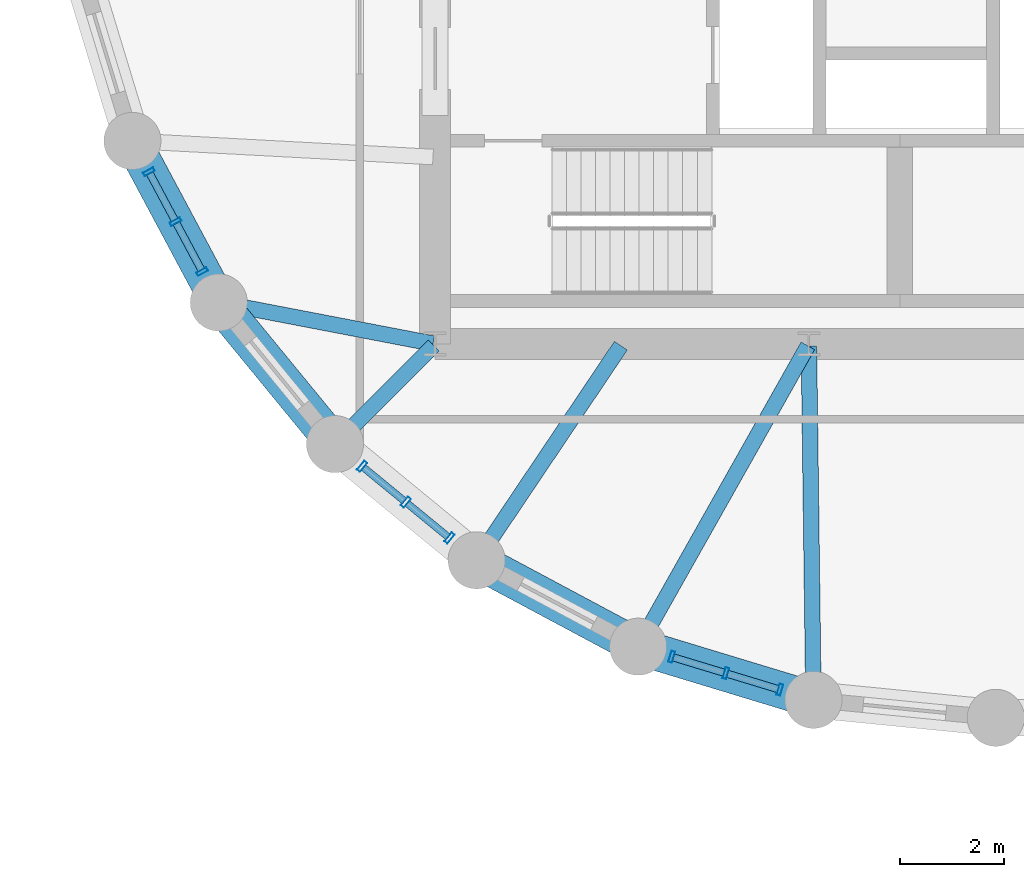
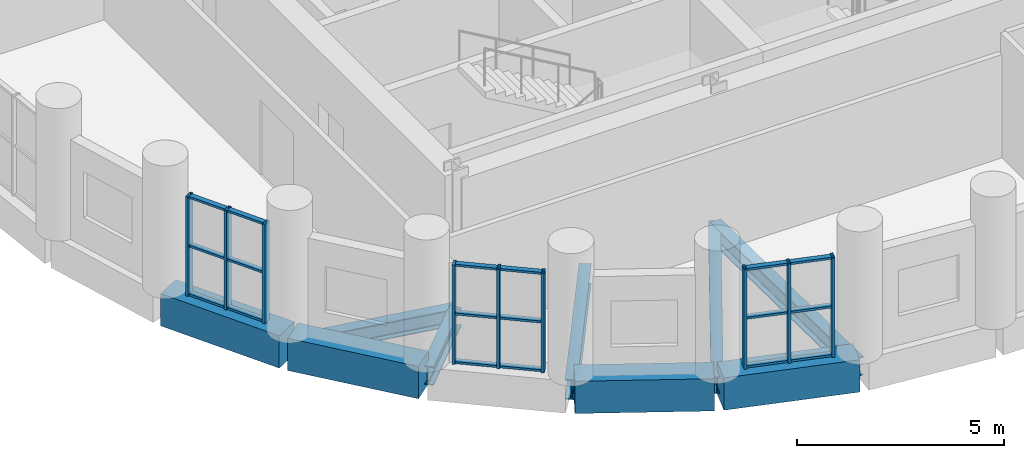
# One storey, part 2 of 14: 27 members, 9 beams, 3 elements without a shape of their own.
"""IFC4 building model written with IfcOpenShell, lengths in metres."""

from ifc_helpers import new_model, si_unit, direction, frame, origin, origin_2d, place, context, subcontext, project, spatial, rectangle, hollow_rectangle, i_section, extrude, material, layer, layer_set, material_profile, profile_set, type_object, element, aggregate, save


model = new_model("IFC4")

# Units and contexts
model_context = context("Model", 3, precision=1e-05, world=origin(), true_north=direction((0.0, 1.0)))
body_context = subcontext(model_context, "Body", "Model", "MODEL_VIEW")
ifc_project = project(units=[si_unit("LENGTHUNIT", "METRE"), si_unit("AREAUNIT", "SQUARE_METRE"), si_unit("VOLUMEUNIT", "CUBIC_METRE"), si_unit("PLANEANGLEUNIT", "RADIAN"), si_unit("MASSUNIT", "GRAM", prefix="KILO")], contexts=[model_context])

# Site, building, storey
site_placement = place(None, origin())
site = spatial("IfcSite", under=ifc_project, at=site_placement, CompositionType="ELEMENT")
building_placement = place(site_placement, origin())
building = spatial("IfcBuilding", under=site, at=building_placement, Name="Solnavia Interchange Tower", CompositionType="ELEMENT")
storey_placement = place(building_placement, frame((0.0, 0.0, 63.0)))
storey = spatial("IfcBuildingStorey", under=building, at=storey_placement, Name="L15", CompositionType="ELEMENT", Elevation=63.0)

# Beams
ifc_material_1 = material(Name="Steel S460", Category="steel")
ifc_material_profile_1 = material_profile(ifc_material_1, i_section(OverallWidth=0.300048828125, OverallDepth=0.550048828125, WebThickness=0.014892578125, FlangeThickness=0.029052734375, FilletRadius=0.027099609375, at=origin_2d()), Name="HEB 550")
ifc_profile_set_1 = profile_set([ifc_material_profile_1], Name="Steel S460")
beam_type_1 = type_object("IfcBeamType", Name="Beam-Girder-HEB550", PredefinedType="BEAM", material=ifc_profile_set_1)
beam_1_placement = place(storey_placement, frame((12.528564453125, 8.9287109375, -0.52490234375), z_axis=(0.707106781187, 0.707106781187, 0.0), x_axis=(-0.707106781187, 0.707106781187, 0.0)))
element("IfcBeam", 1, at=beam_1_placement, inside=storey, type_object=beam_type_1, Name="GRD-L15-DR25 Drum radial floor girder", PredefinedType="BEAM", context=body_context, shape_type="SweptSolid", body=[
    extrude(i_section(OverallWidth=0.300048828125, OverallDepth=0.550048828125, WebThickness=0.014892578125, FlangeThickness=0.029052734375, FilletRadius=0.027099609375, at=origin_2d()), origin(), (0.0, 0.0, 1.0), 2.6064453125),
])
beam_2_placement = place(storey_placement, frame((21.68701171875, 4.02587890625, -0.52490234375), z_axis=(-0.01283293513, 0.999917654498, 0.0), x_axis=(-0.999917654498, -0.01283293513, 0.0)))
element("IfcBeam", 2, at=beam_2_placement, inside=storey, type_object=beam_type_1, Name="GRD-L15-DR28 Drum radial floor girder", PredefinedType="BEAM", context=body_context, shape_type="SweptSolid", body=[
    extrude(i_section(OverallWidth=0.300048828125, OverallDepth=0.550048828125, WebThickness=0.014892578125, FlangeThickness=0.029052734375, FilletRadius=0.027099609375, at=origin_2d()), origin(), (0.0, 0.0, 1.0), 6.734619140625),
])
ifc_material_2 = material(Name="Steel S355", Category="steel")
ifc_material_profile_2 = material_profile(ifc_material_2, i_section(OverallWidth=0.300048828125, OverallDepth=0.489990234375, WebThickness=0.011962890625, FlangeThickness=0.02294921875, FilletRadius=0.027099609375, at=origin_2d()), Name="HEA 500")
ifc_profile_set_2 = profile_set([ifc_material_profile_2], Name="Steel S355")
beam_type_2 = type_object("IfcBeamType", Name="Beam-Primary-HEA500", PredefinedType="BEAM", material=ifc_profile_set_2)
beam_3_placement = place(storey_placement, frame((10.3125, 11.5849609375, -0.4951171875), z_axis=(0.982057527796, -0.188581579428, 0.0), x_axis=(0.188581579428, 0.982057527796, 0.0)))
element("IfcBeam", 3, at=beam_3_placement, inside=storey, type_object=beam_type_2, Name="GRD-L15-DR24 Drum radial floor girder", PredefinedType="BEAM", context=body_context, shape_type="SweptSolid", body=[
    extrude(i_section(OverallWidth=0.300048828125, OverallDepth=0.489990234375, WebThickness=0.011962890625, FlangeThickness=0.02294921875, FilletRadius=0.027099609375, at=origin_2d()), origin(), (0.0, 0.0, 1.0), 4.1220703125),
])
beam_4_placement = place(storey_placement, frame((18.351318359375, 5.039794921875, -0.4951171875), z_axis=(0.491243158486, 0.871022479182, 0.0), x_axis=(-0.871022479182, 0.491243158486, 0.0)))
element("IfcBeam", 4, at=beam_4_placement, inside=storey, type_object=beam_type_2, Name="GRD-L15-DR27 Drum radial floor girder", PredefinedType="BEAM", context=body_context, shape_type="SweptSolid", body=[
    extrude(i_section(OverallWidth=0.300048828125, OverallDepth=0.489990234375, WebThickness=0.011962890625, FlangeThickness=0.02294921875, FilletRadius=0.027099609375, at=origin_2d()), origin(), (0.0, 0.0, 1.0), 6.5732421875),
])
ifc_material_profile_3 = material_profile(ifc_material_2, i_section(OverallWidth=0.300048828125, OverallDepth=0.590087890625, WebThickness=0.012939453125, FlangeThickness=0.02490234375, FilletRadius=0.027099609375, at=origin_2d()), Name="HEA 600")
ifc_profile_set_3 = profile_set([ifc_material_profile_3], Name="Steel S355")
beam_type_3 = type_object("IfcBeamType", Name="Beam-Primary-HEA600", PredefinedType="BEAM", material=ifc_profile_set_3)
beam_5_placement = place(storey_placement, frame((15.24462890625, 6.700439453125, -0.544921875), z_axis=(0.557835474219, 0.829951555033, 0.0), x_axis=(-0.829951555033, 0.557835474219, 0.0)))
element("IfcBeam", 5, at=beam_5_placement, inside=storey, type_object=beam_type_3, Name="GRD-L15-DR26 Drum radial floor girder", PredefinedType="BEAM", context=body_context, shape_type="SweptSolid", body=[
    extrude(i_section(OverallWidth=0.300048828125, OverallDepth=0.590087890625, WebThickness=0.012939453125, FlangeThickness=0.02490234375, FilletRadius=0.027099609375, at=origin_2d()), origin(), (0.0, 0.0, 1.0), 4.899658203125),
])
ifc_material_3 = material(Name="Concrete C50/60", Category="concrete")
ifc_material_profile_4 = material_profile(ifc_material_3, rectangle(XDim=0.699951171875, YDim=0.949951171875, at=origin_2d()), Name="RC 700x950")
ifc_profile_set_4 = profile_set([ifc_material_profile_4], Name="Concrete C50/60")
beam_type_4 = type_object("IfcBeamType", Name="Beam-Spandrel-RC700x950", PredefinedType="SPANDREL", material=ifc_profile_set_4)
beam_6_placement = place(storey_placement, frame((8.607666015625, 14.6416015625, -0.47509765625), z_axis=(0.471509422952, -0.881861023102, 0.0), x_axis=(0.881861023102, 0.471509422952, 0.0)))
element("IfcBeam", 6, at=beam_6_placement, inside=storey, type_object=beam_type_4, Name="SPB-L15-03 Framed-tube perimeter spandrel beam", PredefinedType="SPANDREL", context=body_context, shape_type="SweptSolid", body=[
    extrude(rectangle(XDim=0.699951171875, YDim=0.949951171875, at=origin_2d()), origin(), (0.0, 0.0, 1.0), 3.369140625),
])
beam_7_placement = place(storey_placement, frame((10.28466796875, 11.5380859375, -0.47509765625), z_axis=(0.634298841675, -0.773087950656, 0.0), x_axis=(0.773087950656, 0.634298841675, 0.0)))
element("IfcBeam", 7, at=beam_7_placement, inside=storey, type_object=beam_type_4, Name="SPB-L15-04 Framed-tube perimeter spandrel beam", PredefinedType="SPANDREL", context=body_context, shape_type="SweptSolid", body=[
    extrude(rectangle(XDim=0.699951171875, YDim=0.949951171875, at=origin_2d()), origin(), (0.0, 0.0, 1.0), 3.36865234375),
])
beam_8_placement = place(storey_placement, frame((15.2705078125, 6.59619140625, -0.47509765625), z_axis=(0.881875044348, -0.47148319817, 0.0), x_axis=(0.47148319817, 0.881875044348, 0.0)))
element("IfcBeam", 8, at=beam_8_placement, inside=storey, type_object=beam_type_4, Name="SPB-L15-06 Framed-tube perimeter spandrel beam", PredefinedType="SPANDREL", context=body_context, shape_type="SweptSolid", body=[
    extrude(rectangle(XDim=0.699951171875, YDim=0.949951171875, at=origin_2d()), origin(), (0.0, 0.0, 1.0), 3.368896484375),
])
beam_9_placement = place(storey_placement, frame((18.388671875, 4.94677734375, -0.47509765625), z_axis=(0.956943884494, -0.290272978297, 0.0), x_axis=(0.290272978297, 0.956943884494, 0.0)))
element("IfcBeam", 9, at=beam_9_placement, inside=storey, type_object=beam_type_4, Name="SPB-L15-07 Framed-tube perimeter spandrel beam", PredefinedType="SPANDREL", context=body_context, shape_type="SweptSolid", body=[
    extrude(rectangle(XDim=0.699951171875, YDim=0.949951171875, at=origin_2d()), origin(), (0.0, 0.0, 1.0), 3.36767578125),
])

# Curtain wall, members
ifc_material_4 = material(Name="Aluminium Alloy 6063-T6", Category="aluminium")
ifc_layer = layer(ifc_material_4, 0.239990234375)
ifc_layer_set = layer_set([ifc_layer], Name="Aluminium Alloy 6063-T6")
curtain_wall_type = type_object("IfcCurtainWallType", Name="CurtainWall-Drum-CTW2", PredefinedType="NOTDEFINED", material=ifc_layer_set)
curtain_wall_1_placement = place(storey_placement, origin())
curtain_wall_1 = element("IfcCurtainWall", 10, at=curtain_wall_1_placement, inside=storey, type_object=curtain_wall_type, Name="CTW-L15-D59 CTW-2 curtain wall", PredefinedType="NOTDEFINED")
ifc_material_profile_5 = material_profile(ifc_material_4, hollow_rectangle(XDim=0.074951171875, YDim=0.219970703125, WallThickness=0.0048828125, at=origin_2d()), Name="ALU 220x75x5")
ifc_profile_set_5 = profile_set([ifc_material_profile_5], Name="Aluminium Alloy 6063-T6")
member_type_1 = type_object("IfcMemberType", Name="CW-Mullion-CWM-2", PredefinedType="MULLION", material=ifc_profile_set_5)
member_1_placement = place(storey_placement, frame((8.88818359375, 14.11669921875, 0.0), z_axis=(0.0, 0.0, 1.0), x_axis=(0.471536719402, -0.881846427818, 0.0)))
member_1 = element("IfcMember", 11, at=member_1_placement, type_object=member_type_1, Name="CTW-2 mullion 1", PredefinedType="MULLION", context=body_context, shape_type="SweptSolid", body=[
    extrude(hollow_rectangle(XDim=0.074951171875, YDim=0.219970703125, WallThickness=0.0048828125, at=origin_2d()), origin(), (0.0, 0.0, 1.0), 2.929931640625),
])
member_2_placement = place(storey_placement, frame((9.402099609375, 13.156005859375, 0.0), z_axis=(0.0, 0.0, 1.0), x_axis=(0.471536719402, -0.881846427818, 0.0)))
member_2 = element("IfcMember", 12, at=member_2_placement, type_object=member_type_1, Name="CTW-2 mullion 2", PredefinedType="MULLION", context=body_context, shape_type="SweptSolid", body=[
    extrude(hollow_rectangle(XDim=0.074951171875, YDim=0.219970703125, WallThickness=0.0048828125, at=origin_2d()), origin(), (0.0, 0.0, 1.0), 2.929931640625),
])
member_3_placement = place(storey_placement, frame((9.915771484375, 12.1953125, 0.0), z_axis=(0.0, 0.0, 1.0), x_axis=(0.471536719402, -0.881846427818, 0.0)))
member_3 = element("IfcMember", 13, at=member_3_placement, type_object=member_type_1, Name="CTW-2 mullion 3", PredefinedType="MULLION", context=body_context, shape_type="SweptSolid", body=[
    extrude(hollow_rectangle(XDim=0.074951171875, YDim=0.219970703125, WallThickness=0.0048828125, at=origin_2d()), origin(), (0.0, 0.0, 1.0), 2.929931640625),
])

curtain_wall_2_placement = place(storey_placement, origin())
curtain_wall_2 = element("IfcCurtainWall", 14, at=curtain_wall_2_placement, inside=storey, type_object=curtain_wall_type, Name="CTW-L15-D61 CTW-2 curtain wall", PredefinedType="NOTDEFINED")
member_4_placement = place(storey_placement, frame((12.993896484375, 8.44384765625, 0.0), z_axis=(0.0, 0.0, 1.0), x_axis=(0.773094572227, -0.634290771172, 0.0)))
member_4 = element("IfcMember", 15, at=member_4_placement, type_object=member_type_1, Name="CTW-2 mullion 1", PredefinedType="MULLION", context=body_context, shape_type="SweptSolid", body=[
    extrude(hollow_rectangle(XDim=0.074951171875, YDim=0.219970703125, WallThickness=0.0048828125, at=origin_2d()), origin(), (0.0, 0.0, 1.0), 2.929931640625),
])
member_5_placement = place(storey_placement, frame((13.8359375, 7.7529296875, 0.0), z_axis=(0.0, 0.0, 1.0), x_axis=(0.773094572227, -0.634290771172, 0.0)))
member_5 = element("IfcMember", 16, at=member_5_placement, type_object=member_type_1, Name="CTW-2 mullion 2", PredefinedType="MULLION", context=body_context, shape_type="SweptSolid", body=[
    extrude(hollow_rectangle(XDim=0.074951171875, YDim=0.219970703125, WallThickness=0.0048828125, at=origin_2d()), origin(), (0.0, 0.0, 1.0), 2.929931640625),
])
member_6_placement = place(storey_placement, frame((14.67822265625, 7.06201171875, 0.0), z_axis=(0.0, 0.0, 1.0), x_axis=(0.773094572227, -0.634290771172, 0.0)))
member_6 = element("IfcMember", 17, at=member_6_placement, type_object=member_type_1, Name="CTW-2 mullion 3", PredefinedType="MULLION", context=body_context, shape_type="SweptSolid", body=[
    extrude(hollow_rectangle(XDim=0.074951171875, YDim=0.219970703125, WallThickness=0.0048828125, at=origin_2d()), origin(), (0.0, 0.0, 1.0), 2.929931640625),
])

curtain_wall_3_placement = place(storey_placement, origin())
curtain_wall_3 = element("IfcCurtainWall", 18, at=curtain_wall_3_placement, inside=storey, type_object=curtain_wall_type, Name="CTW-L15-D63 CTW-2 curtain wall", PredefinedType="NOTDEFINED")
member_7_placement = place(storey_placement, frame((18.9580078125, 4.774169921875, 0.0), z_axis=(0.0, 0.0, 1.0), x_axis=(0.956934759739, -0.290303058206, 0.0)))
member_7 = element("IfcMember", 19, at=member_7_placement, type_object=member_type_1, Name="CTW-2 mullion 1", PredefinedType="MULLION", context=body_context, shape_type="SweptSolid", body=[
    extrude(hollow_rectangle(XDim=0.074951171875, YDim=0.219970703125, WallThickness=0.0048828125, at=origin_2d()), origin(), (0.0, 0.0, 1.0), 2.929931640625),
])
member_8_placement = place(storey_placement, frame((20.0, 4.4580078125, 0.0), z_axis=(0.0, 0.0, 1.0), x_axis=(0.956934759739, -0.290303058206, 0.0)))
member_8 = element("IfcMember", 20, at=member_8_placement, type_object=member_type_1, Name="CTW-2 mullion 2", PredefinedType="MULLION", context=body_context, shape_type="SweptSolid", body=[
    extrude(hollow_rectangle(XDim=0.074951171875, YDim=0.219970703125, WallThickness=0.0048828125, at=origin_2d()), origin(), (0.0, 0.0, 1.0), 2.929931640625),
])
member_9_placement = place(storey_placement, frame((21.0419921875, 4.141845703125, 0.0), z_axis=(0.0, 0.0, 1.0), x_axis=(0.956934759739, -0.290303058206, 0.0)))
member_9 = element("IfcMember", 21, at=member_9_placement, type_object=member_type_1, Name="CTW-2 mullion 3", PredefinedType="MULLION", context=body_context, shape_type="SweptSolid", body=[
    extrude(hollow_rectangle(XDim=0.074951171875, YDim=0.219970703125, WallThickness=0.0048828125, at=origin_2d()), origin(), (0.0, 0.0, 1.0), 2.929931640625),
])

# Member
ifc_material_profile_6 = material_profile(ifc_material_4, hollow_rectangle(XDim=0.06494140625, YDim=0.139892578125, WallThickness=0.00390625, at=origin_2d()), Name="ALU 140x65x4")
ifc_profile_set_6 = profile_set([ifc_material_profile_6], Name="Aluminium Alloy 6063-T6")
member_type_2 = type_object("IfcMemberType", Name="CW-Transom-CWT-2", PredefinedType="USERDEFINED", material=ifc_profile_set_6)
member_10_placement = place(storey_placement, frame((8.906005859375, 14.083740234375, 0.032470703125), z_axis=(0.471399859925, -0.88191959501, 0.0), x_axis=(0.0, 0.0, 1.0)))
member_10 = element("IfcMember", 22, at=member_10_placement, type_object=member_type_2, Name="CTW-2 transom 1.1", ObjectType="TRANSOM", PredefinedType="USERDEFINED", context=body_context, shape_type="SweptSolid", body=[
    extrude(hollow_rectangle(XDim=0.06494140625, YDim=0.139892578125, WallThickness=0.00390625, at=origin_2d()), origin(), (0.0, 0.0, 1.0), 1.0146484375),
])

member_11_placement = place(storey_placement, frame((8.906005859375, 14.083740234375, 1.465087890625), z_axis=(0.471399859925, -0.88191959501, 0.0), x_axis=(0.0, 0.0, 1.0)))
member_11 = element("IfcMember", 23, at=member_11_placement, type_object=member_type_2, Name="CTW-2 transom 1.2", ObjectType="TRANSOM", PredefinedType="USERDEFINED", context=body_context, shape_type="SweptSolid", body=[
    extrude(hollow_rectangle(XDim=0.06494140625, YDim=0.139892578125, WallThickness=0.00390625, at=origin_2d()), origin(), (0.0, 0.0, 1.0), 1.0146484375),
])

member_12_placement = place(storey_placement, frame((8.906005859375, 14.083740234375, 2.8974609375), z_axis=(0.471399859925, -0.88191959501, 0.0), x_axis=(0.0, 0.0, 1.0)))
member_12 = element("IfcMember", 24, at=member_12_placement, type_object=member_type_2, Name="CTW-2 transom 1.3", ObjectType="TRANSOM", PredefinedType="USERDEFINED", context=body_context, shape_type="SweptSolid", body=[
    extrude(hollow_rectangle(XDim=0.06494140625, YDim=0.139892578125, WallThickness=0.00390625, at=origin_2d()), origin(), (0.0, 0.0, 1.0), 1.0146484375),
])

member_13_placement = place(storey_placement, frame((9.419677734375, 13.123046875, 0.032470703125), z_axis=(0.471399859925, -0.88191959501, 0.0), x_axis=(0.0, 0.0, 1.0)))
member_13 = element("IfcMember", 25, at=member_13_placement, type_object=member_type_2, Name="CTW-2 transom 2.1", ObjectType="TRANSOM", PredefinedType="USERDEFINED", context=body_context, shape_type="SweptSolid", body=[
    extrude(hollow_rectangle(XDim=0.06494140625, YDim=0.139892578125, WallThickness=0.00390625, at=origin_2d()), origin(), (0.0, 0.0, 1.0), 1.0146484375),
])

member_14_placement = place(storey_placement, frame((9.419677734375, 13.123046875, 1.465087890625), z_axis=(0.471399859925, -0.88191959501, 0.0), x_axis=(0.0, 0.0, 1.0)))
member_14 = element("IfcMember", 26, at=member_14_placement, type_object=member_type_2, Name="CTW-2 transom 2.2", ObjectType="TRANSOM", PredefinedType="USERDEFINED", context=body_context, shape_type="SweptSolid", body=[
    extrude(hollow_rectangle(XDim=0.06494140625, YDim=0.139892578125, WallThickness=0.00390625, at=origin_2d()), origin(), (0.0, 0.0, 1.0), 1.0146484375),
])

member_15_placement = place(storey_placement, frame((9.419677734375, 13.123046875, 2.8974609375), z_axis=(0.471399859925, -0.88191959501, 0.0), x_axis=(0.0, 0.0, 1.0)))
member_15 = element("IfcMember", 27, at=member_15_placement, type_object=member_type_2, Name="CTW-2 transom 2.3", ObjectType="TRANSOM", PredefinedType="USERDEFINED", context=body_context, shape_type="SweptSolid", body=[
    extrude(hollow_rectangle(XDim=0.06494140625, YDim=0.139892578125, WallThickness=0.00390625, at=origin_2d()), origin(), (0.0, 0.0, 1.0), 1.0146484375),
])

aggregate(curtain_wall_1, [member_1, member_2, member_3, member_10, member_11, member_12, member_13, member_14, member_15])

member_16_placement = place(storey_placement, frame((13.02294921875, 8.420166015625, 0.032470703125), z_axis=(0.773130870672, -0.634246526844, 0.0), x_axis=(0.0, 0.0, 1.0)))
member_16 = element("IfcMember", 28, at=member_16_placement, type_object=member_type_2, Name="CTW-2 transom 1.1", ObjectType="TRANSOM", PredefinedType="USERDEFINED", context=body_context, shape_type="SweptSolid", body=[
    extrude(hollow_rectangle(XDim=0.06494140625, YDim=0.139892578125, WallThickness=0.00390625, at=origin_2d()), origin(), (0.0, 0.0, 1.0), 1.014404296875),
])

member_17_placement = place(storey_placement, frame((13.02294921875, 8.420166015625, 1.465087890625), z_axis=(0.773130870672, -0.634246526844, 0.0), x_axis=(0.0, 0.0, 1.0)))
member_17 = element("IfcMember", 29, at=member_17_placement, type_object=member_type_2, Name="CTW-2 transom 1.2", ObjectType="TRANSOM", PredefinedType="USERDEFINED", context=body_context, shape_type="SweptSolid", body=[
    extrude(hollow_rectangle(XDim=0.06494140625, YDim=0.139892578125, WallThickness=0.00390625, at=origin_2d()), origin(), (0.0, 0.0, 1.0), 1.014404296875),
])

member_18_placement = place(storey_placement, frame((13.02294921875, 8.420166015625, 2.8974609375), z_axis=(0.773130870672, -0.634246526844, 0.0), x_axis=(0.0, 0.0, 1.0)))
member_18 = element("IfcMember", 30, at=member_18_placement, type_object=member_type_2, Name="CTW-2 transom 1.3", ObjectType="TRANSOM", PredefinedType="USERDEFINED", context=body_context, shape_type="SweptSolid", body=[
    extrude(hollow_rectangle(XDim=0.06494140625, YDim=0.139892578125, WallThickness=0.00390625, at=origin_2d()), origin(), (0.0, 0.0, 1.0), 1.014404296875),
])

member_19_placement = place(storey_placement, frame((13.864990234375, 7.729248046875, 0.032470703125), z_axis=(0.773130870672, -0.634246526844, 0.0), x_axis=(0.0, 0.0, 1.0)))
member_19 = element("IfcMember", 31, at=member_19_placement, type_object=member_type_2, Name="CTW-2 transom 2.1", ObjectType="TRANSOM", PredefinedType="USERDEFINED", context=body_context, shape_type="SweptSolid", body=[
    extrude(hollow_rectangle(XDim=0.06494140625, YDim=0.139892578125, WallThickness=0.00390625, at=origin_2d()), origin(), (0.0, 0.0, 1.0), 1.014404296875),
])

member_20_placement = place(storey_placement, frame((13.864990234375, 7.729248046875, 1.465087890625), z_axis=(0.773130870672, -0.634246526844, 0.0), x_axis=(0.0, 0.0, 1.0)))
member_20 = element("IfcMember", 32, at=member_20_placement, type_object=member_type_2, Name="CTW-2 transom 2.2", ObjectType="TRANSOM", PredefinedType="USERDEFINED", context=body_context, shape_type="SweptSolid", body=[
    extrude(hollow_rectangle(XDim=0.06494140625, YDim=0.139892578125, WallThickness=0.00390625, at=origin_2d()), origin(), (0.0, 0.0, 1.0), 1.014404296875),
])

member_21_placement = place(storey_placement, frame((13.864990234375, 7.729248046875, 2.8974609375), z_axis=(0.773130870672, -0.634246526844, 0.0), x_axis=(0.0, 0.0, 1.0)))
member_21 = element("IfcMember", 33, at=member_21_placement, type_object=member_type_2, Name="CTW-2 transom 2.3", ObjectType="TRANSOM", PredefinedType="USERDEFINED", context=body_context, shape_type="SweptSolid", body=[
    extrude(hollow_rectangle(XDim=0.06494140625, YDim=0.139892578125, WallThickness=0.00390625, at=origin_2d()), origin(), (0.0, 0.0, 1.0), 1.014404296875),
])

aggregate(curtain_wall_2, [member_4, member_5, member_6, member_16, member_17, member_18, member_19, member_20, member_21])

member_22_placement = place(storey_placement, frame((18.993896484375, 4.76318359375, 0.032470703125), z_axis=(0.956973757237, -0.290174478478, 0.0), x_axis=(0.0, 0.0, 1.0)))
member_22 = element("IfcMember", 34, at=member_22_placement, type_object=member_type_2, Name="CTW-2 transom 1.1", ObjectType="TRANSOM", PredefinedType="USERDEFINED", context=body_context, shape_type="SweptSolid", body=[
    extrude(hollow_rectangle(XDim=0.06494140625, YDim=0.139892578125, WallThickness=0.00390625, at=origin_2d()), origin(), (0.0, 0.0, 1.0), 1.013916015625),
])

member_23_placement = place(storey_placement, frame((18.993896484375, 4.76318359375, 1.465087890625), z_axis=(0.956973757237, -0.290174478478, 0.0), x_axis=(0.0, 0.0, 1.0)))
member_23 = element("IfcMember", 35, at=member_23_placement, type_object=member_type_2, Name="CTW-2 transom 1.2", ObjectType="TRANSOM", PredefinedType="USERDEFINED", context=body_context, shape_type="SweptSolid", body=[
    extrude(hollow_rectangle(XDim=0.06494140625, YDim=0.139892578125, WallThickness=0.00390625, at=origin_2d()), origin(), (0.0, 0.0, 1.0), 1.013916015625),
])

member_24_placement = place(storey_placement, frame((18.993896484375, 4.76318359375, 2.8974609375), z_axis=(0.956973757237, -0.290174478478, 0.0), x_axis=(0.0, 0.0, 1.0)))
member_24 = element("IfcMember", 36, at=member_24_placement, type_object=member_type_2, Name="CTW-2 transom 1.3", ObjectType="TRANSOM", PredefinedType="USERDEFINED", context=body_context, shape_type="SweptSolid", body=[
    extrude(hollow_rectangle(XDim=0.06494140625, YDim=0.139892578125, WallThickness=0.00390625, at=origin_2d()), origin(), (0.0, 0.0, 1.0), 1.013916015625),
])

member_25_placement = place(storey_placement, frame((20.035888671875, 4.447021484375, 0.032470703125), z_axis=(0.956973757237, -0.290174478478, 0.0), x_axis=(0.0, 0.0, 1.0)))
member_25 = element("IfcMember", 37, at=member_25_placement, type_object=member_type_2, Name="CTW-2 transom 2.1", ObjectType="TRANSOM", PredefinedType="USERDEFINED", context=body_context, shape_type="SweptSolid", body=[
    extrude(hollow_rectangle(XDim=0.06494140625, YDim=0.139892578125, WallThickness=0.00390625, at=origin_2d()), origin(), (0.0, 0.0, 1.0), 1.013916015625),
])

member_26_placement = place(storey_placement, frame((20.035888671875, 4.447021484375, 1.465087890625), z_axis=(0.956973757237, -0.290174478478, 0.0), x_axis=(0.0, 0.0, 1.0)))
member_26 = element("IfcMember", 38, at=member_26_placement, type_object=member_type_2, Name="CTW-2 transom 2.2", ObjectType="TRANSOM", PredefinedType="USERDEFINED", context=body_context, shape_type="SweptSolid", body=[
    extrude(hollow_rectangle(XDim=0.06494140625, YDim=0.139892578125, WallThickness=0.00390625, at=origin_2d()), origin(), (0.0, 0.0, 1.0), 1.013916015625),
])

member_27_placement = place(storey_placement, frame((20.035888671875, 4.447021484375, 2.8974609375), z_axis=(0.956973757237, -0.290174478478, 0.0), x_axis=(0.0, 0.0, 1.0)))
member_27 = element("IfcMember", 39, at=member_27_placement, type_object=member_type_2, Name="CTW-2 transom 2.3", ObjectType="TRANSOM", PredefinedType="USERDEFINED", context=body_context, shape_type="SweptSolid", body=[
    extrude(hollow_rectangle(XDim=0.06494140625, YDim=0.139892578125, WallThickness=0.00390625, at=origin_2d()), origin(), (0.0, 0.0, 1.0), 1.013916015625),
])

aggregate(curtain_wall_3, [member_7, member_8, member_9, member_22, member_23, member_24, member_25, member_26, member_27])

save(model, "model.ifc")
